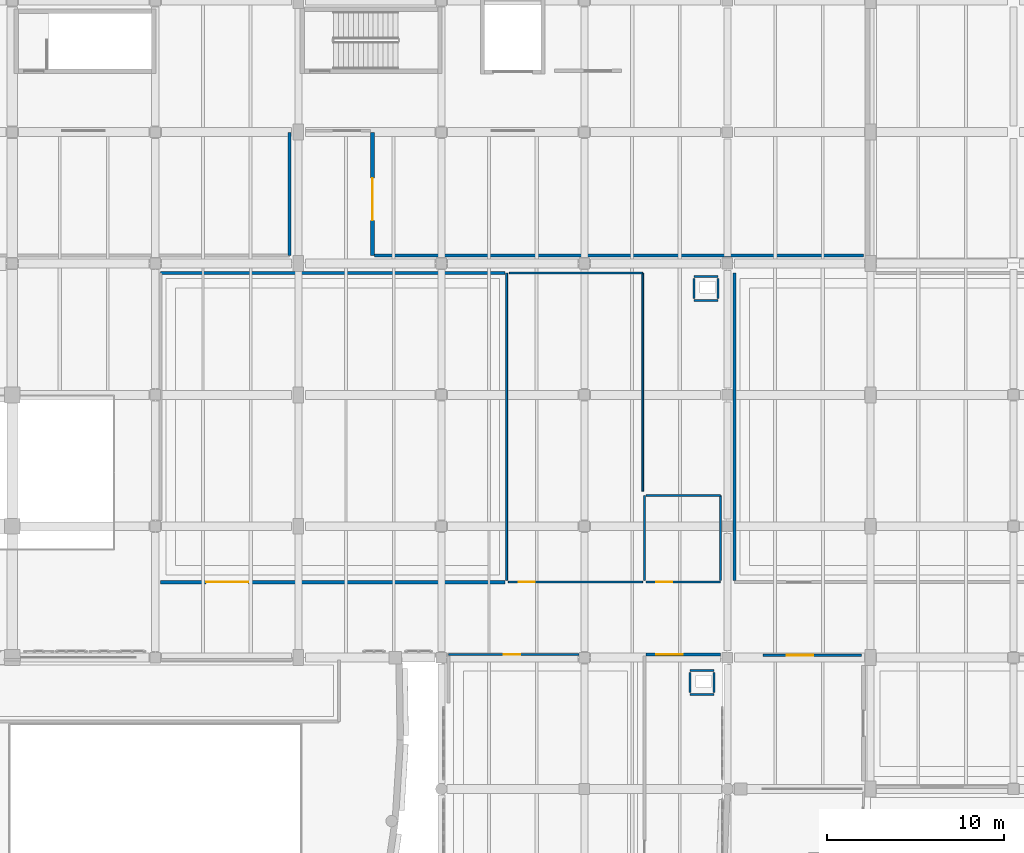
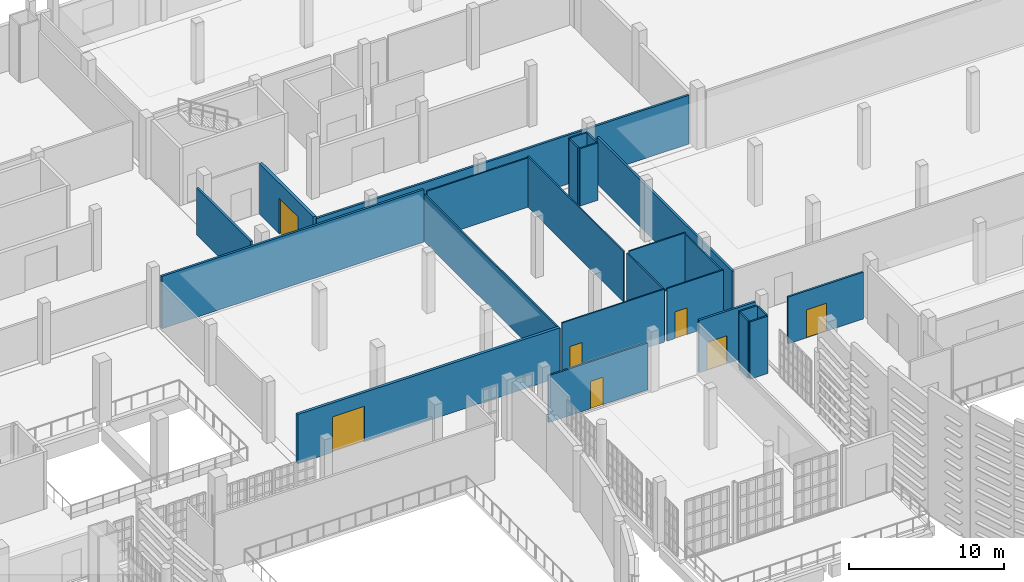
# One storey, part 91 of 104: 25 walls, 7 doors, 7 openings.
"""IFC4 building model written with IfcOpenShell, lengths in metres."""

from ifc_helpers import new_model, si_unit, direction, frame, frame_2d, origin, place, context, subcontext, project, spatial, rectangle, extrude, material, layer, layer_set, type_object, element, fill, save


model = new_model("IFC4")

# Units and contexts
model_context = context("Model", 3, precision=1e-05, world=origin(), true_north=direction((0.0, 1.0)))
body_context = subcontext(model_context, "Body", "Model", "MODEL_VIEW")
ifc_project = project(units=[si_unit("LENGTHUNIT", "METRE"), si_unit("AREAUNIT", "SQUARE_METRE"), si_unit("VOLUMEUNIT", "CUBIC_METRE"), si_unit("PLANEANGLEUNIT", "RADIAN"), si_unit("MASSUNIT", "GRAM", prefix="KILO")], contexts=[model_context])

# Site, building, storey
site_placement = place(None, origin())
site = spatial("IfcSite", under=ifc_project, at=site_placement, CompositionType="ELEMENT")
building_placement = place(site_placement, origin())
building = spatial("IfcBuilding", under=site, at=building_placement, Name="Kaelora Sail Theatre", CompositionType="ELEMENT")
storey_placement = place(building_placement, frame((0.0, 0.0, 5.39990234375)))
storey = spatial("IfcBuildingStorey", under=building, at=storey_placement, Name="L01", CompositionType="ELEMENT", Elevation=5.39990234375)

# Wall, opening, door
ifc_material_1 = material(Name="Sanitary moisture-resistant partition 100 mm", Category="gypsum")
ifc_layer_1 = layer(ifc_material_1, 0.10009765625)
ifc_layer_set_1 = layer_set([ifc_layer_1], Name="Sanitary moisture-resistant partition 100 mm")
wall_type_1 = type_object("IfcWallType", Name="ARC-WL-PT-100", PredefinedType="PARTITIONING", material=ifc_layer_set_1)
wall_1_placement = place(storey_placement, frame((110.60009765625, 65.300048828125, 0.0), z_axis=(0.0, 0.0, 1.0), x_axis=(1.0, 0.0, 0.0)))
wall_1 = element("IfcWall", 1, at=wall_1_placement, inside=storey, type_object=wall_type_1, Name="Interior acoustic partition L01-COR-FOYC/L01-WC-PUB", PredefinedType="PARTITIONING", context=body_context, shape_type="SweptSolid", body=[
    extrude(rectangle(XDim=7.599853515625, YDim=0.10009765625, at=frame_2d((3.7998046875, 0.0))), origin(), (0.0, 0.0, 1.0), 4.156982421875),
])
opening_1_placement = place(wall_1_placement, frame((0.580078125, 0.0, 0.0)))
opening_1 = element("IfcOpeningElement", 2, at=opening_1_placement, cuts=wall_1, Name="Opening ID-03", PredefinedType="OPENING", context=body_context, shape_type="SweptSolid", body=[
    extrude(rectangle(XDim=0.89990234375, YDim=2.10009765625, at=frame_2d((0.449951171875, 1.050048828125))), frame((0.0, 0.060049, 0.0), z_axis=(0.0, -1.0, 0.0), x_axis=(1.0, 0.0, 0.0)), (0.0, 0.0, 1.0), 0.120098),
])
ifc_material_2 = material(Name="Accessible sanitary laminate door", Category="timber")
door_type_1 = type_object("IfcDoorType", Name="ARC-DR-ID-03", OperationType="NOTDEFINED", PredefinedType="DOOR", material=ifc_material_2)
door_1_placement = place(opening_1_placement, origin())
door_1 = element("IfcDoor", 3, at=door_1_placement, inside=storey, type_object=door_type_1, Name="Interior door L01-COR-FOYC to L01-WC-PUB", OperationType="SINGLE_SWING_RIGHT", OverallHeight=2.10009765625, OverallWidth=0.89990234375, PredefinedType="DOOR", context=body_context, shape_type="SweptSolid", body=[
    extrude(rectangle(XDim=0.89990234375, YDim=2.10009765625, at=frame_2d((0.449951171875, 1.050048828125))), frame((0.0, 0.02490234375, 0.0), z_axis=(0.0, -1.0, 0.0), x_axis=(1.0, 0.0, 0.0)), (0.0, 0.0, 1.0), 0.050048828125),
])
fill(opening_1, door_1)

wall_2_placement = place(storey_placement, frame((118.39990234375, 65.300048828125, 0.0), z_axis=(0.0, 0.0, 1.0), x_axis=(1.0, 0.0, 0.0)))
wall_2 = element("IfcWall", 4, at=wall_2_placement, inside=storey, type_object=wall_type_1, Name="Interior acoustic partition L01-COR-FOYC/L01-WC-ACC", PredefinedType="PARTITIONING", context=body_context, shape_type="SweptSolid", body=[
    extrude(rectangle(XDim=4.2001953125, YDim=0.10009765625, at=frame_2d((2.10009765625, 0.0))), origin(), (0.0, 0.0, 1.0), 4.127197265625),
])
opening_2_placement = place(wall_2_placement, frame((0.580078125, 0.0, 0.0)))
opening_2 = element("IfcOpeningElement", 5, at=opening_2_placement, cuts=wall_2, Name="Opening ID-03", PredefinedType="OPENING", context=body_context, shape_type="SweptSolid", body=[
    extrude(rectangle(XDim=0.89990234375, YDim=2.10009765625, at=frame_2d((0.449951171875, 1.050048828125))), frame((0.0, 0.060049, 0.0), z_axis=(0.0, -1.0, 0.0), x_axis=(1.0, 0.0, 0.0)), (0.0, 0.0, 1.0), 0.120098),
])
door_2_placement = place(opening_2_placement, origin())
door_2 = element("IfcDoor", 6, at=door_2_placement, inside=storey, type_object=door_type_1, Name="Interior door L01-COR-FOYC to L01-WC-ACC", OperationType="SINGLE_SWING_RIGHT", OverallHeight=2.10009765625, OverallWidth=0.89990234375, PredefinedType="DOOR", context=body_context, shape_type="SweptSolid", body=[
    extrude(rectangle(XDim=0.89990234375, YDim=2.10009765625, at=frame_2d((0.449951171875, 1.050048828125))), frame((0.0, 0.02490234375, 0.0), z_axis=(0.0, -1.0, 0.0), x_axis=(1.0, 0.0, 0.0)), (0.0, 0.0, 1.0), 0.050048828125),
])
fill(opening_2, door_2)

# Walls
wall_3_placement = place(storey_placement, frame((118.300048828125, 65.39990234375, 0.0), z_axis=(0.0, 0.0, 1.0), x_axis=(0.0, 1.0, 0.0)))
element("IfcWall", 7, at=wall_3_placement, inside=storey, type_object=wall_type_1, Name="Interior acoustic partition L01-WC-PUB/L01-WC-ACC", PredefinedType="PARTITIONING", context=body_context, shape_type="SweptSolid", body=[
    extrude(rectangle(XDim=4.800048828125, YDim=0.10009765625, at=frame_2d((2.39990234375, 0.0))), origin(), (0.0, 0.0, 1.0), 3.987060546875),
])
wall_4_placement = place(storey_placement, frame((110.64990234375, 82.800048828125, 0.0), z_axis=(0.0, 0.0, 1.0), x_axis=(1.0, 0.0, 0.0)))
element("IfcWall", 8, at=wall_4_placement, inside=storey, type_object=wall_type_1, Name="Room enclosure wall L01-WC-PUB-N1", PredefinedType="PARTITIONING", context=body_context, shape_type="SweptSolid", body=[
    extrude(rectangle(XDim=7.550048828125, YDim=0.10009765625, at=frame_2d((3.77490234375, 0.0))), origin(), (0.0, 0.0, 1.0), 3.88720703125),
])
wall_5_placement = place(storey_placement, frame((118.199951171875, 70.449951171875, 0.0), z_axis=(0.0, 0.0, 1.0), x_axis=(0.0, 1.0, 0.0)))
element("IfcWall", 9, at=wall_5_placement, inside=storey, type_object=wall_type_1, Name="Room enclosure wall L01-WC-PUB-E1", PredefinedType="PARTITIONING", context=body_context, shape_type="SweptSolid", body=[
    extrude(rectangle(XDim=12.35009765625, YDim=0.10009765625, at=frame_2d((6.175048828125, 0.0))), origin(), (0.0, 0.0, 1.0), 3.987060546875),
])
wall_6_placement = place(storey_placement, frame((118.39990234375, 70.199951171875, 0.0), z_axis=(0.0, 0.0, 1.0), x_axis=(1.0, 0.0, 0.0)))
element("IfcWall", 10, at=wall_6_placement, inside=storey, type_object=wall_type_1, Name="Room enclosure wall L01-WC-ACC-N1", PredefinedType="PARTITIONING", context=body_context, shape_type="SweptSolid", body=[
    extrude(rectangle(XDim=4.2001953125, YDim=0.10009765625, at=frame_2d((2.10009765625, 0.0))), origin(), (0.0, 0.0, 1.0), 4.087158203125),
])
wall_7_placement = place(storey_placement, frame((122.60009765625, 65.39990234375, 0.0), z_axis=(0.0, 0.0, 1.0), x_axis=(0.0, 1.0, 0.0)))
element("IfcWall", 11, at=wall_7_placement, inside=storey, type_object=wall_type_1, Name="Room enclosure wall L01-WC-ACC-E1", PredefinedType="PARTITIONING", context=body_context, shape_type="SweptSolid", body=[
    extrude(rectangle(XDim=4.800048828125, YDim=0.10009765625, at=frame_2d((2.39990234375, 0.0))), origin(), (0.0, 0.0, 1.0), 3.987060546875),
])
ifc_material_3 = material(Name="Office acoustic stud partition 110 mm", Category="gypsum")
ifc_layer_2 = layer(ifc_material_3, 0.110107421875)
ifc_layer_set_2 = layer_set([ifc_layer_2], Name="Office acoustic stud partition 110 mm")
wall_type_2 = type_object("IfcWallType", Name="ARC-WL-PT-110", PredefinedType="PARTITIONING", material=ifc_layer_set_2)
wall_8_placement = place(storey_placement, frame((110.5, 65.39990234375, 0.0), z_axis=(0.0, 0.0, 1.0), x_axis=(0.0, 1.0, 0.0)))
element("IfcWall", 12, at=wall_8_placement, inside=storey, type_object=wall_type_2, Name="Interior acoustic partition L01-FOY-BAR/L01-WC-PUB", PredefinedType="PARTITIONING", context=body_context, shape_type="SweptSolid", body=[
    extrude(rectangle(XDim=17.400146484375, YDim=0.110107421875, at=frame_2d((8.7001953125, 0.0))), origin(), (0.0, 0.0, 1.0), 3.68701171875),
])
ifc_material_4 = material(Name="Standard metal-stud partition 120 mm", Category="gypsum")
ifc_layer_3 = layer(ifc_material_4, 0.1201171875)
ifc_layer_set_3 = layer_set([ifc_layer_3], Name="Standard metal-stud partition 120 mm")
wall_type_3 = type_object("IfcWallType", Name="ARC-WL-PT-120", PredefinedType="PARTITIONING", material=ifc_layer_set_3)
for number, where, z_axis, x_axis, name in (
    (13, (121.10498046875, 81.2451171875, 0.0), (0.0, 0.0, 1.0), (1.0, 0.0, 0.0), "MEP riser shaft wall FC2-L01-S"),
    (14, (121.10498046875, 82.60498046875, 0.0), (0.0, 0.0, 1.0), (1.0, 0.0, 0.0), "MEP riser shaft wall FC2-L01-N"),
):
    element("IfcWall", number, at=place(storey_placement, frame(where, z_axis=z_axis, x_axis=x_axis)), inside=storey, type_object=wall_type_3, Name=name, PredefinedType="PARTITIONING", context=body_context, shape_type="SweptSolid", body=[
        extrude(rectangle(XDim=1.360107421875, YDim=0.1201171875, at=frame_2d((0.68017578125, 0.0))), origin(), (0.0, 0.0, 1.0), 4.505126953125),
    ])
for number, where, z_axis, x_axis, name in (
    (15, (121.10498046875, 81.364990234375, 0.0), (0.0, 0.0, 1.0), (0.0, 1.0, 0.0), "MEP riser shaft wall FC2-L01-W"),
    (16, (122.465087890625, 81.364990234375, 0.0), (0.0, 0.0, 1.0), (0.0, 1.0, 0.0), "MEP riser shaft wall FC2-L01-E"),
):
    element("IfcWall", number, at=place(storey_placement, frame(where, z_axis=z_axis, x_axis=x_axis)), inside=storey, type_object=wall_type_3, Name=name, PredefinedType="PARTITIONING", context=body_context, shape_type="SweptSolid", body=[
        extrude(rectangle(XDim=1.1201171875, YDim=0.1201171875, at=frame_2d((0.56005859375, 0.0))), origin(), (0.0, 0.0, 1.0), 4.505126953125),
    ])
for number, where, z_axis, x_axis, name in (
    (17, (120.8798828125, 58.925048828125, 0.0), (0.0, 0.0, 1.0), (1.0, 0.0, 0.0), "MEP riser shaft wall FI-EAST-L01-S"),
    (18, (120.8798828125, 60.284912109375, 0.0), (0.0, 0.0, 1.0), (1.0, 0.0, 0.0), "MEP riser shaft wall FI-EAST-L01-N"),
):
    element("IfcWall", number, at=place(storey_placement, frame(where, z_axis=z_axis, x_axis=x_axis)), inside=storey, type_object=wall_type_3, Name=name, PredefinedType="PARTITIONING", context=body_context, shape_type="SweptSolid", body=[
        extrude(rectangle(XDim=1.360107421875, YDim=0.1201171875, at=frame_2d((0.68017578125, 0.0))), origin(), (0.0, 0.0, 1.0), 4.505126953125),
    ])
for number, where, z_axis, x_axis, name in (
    (19, (120.8798828125, 59.044921875, 0.0), (0.0, 0.0, 1.0), (0.0, 1.0, 0.0), "MEP riser shaft wall FI-EAST-L01-W"),
    (20, (122.239990234375, 59.044921875, 0.0), (0.0, 0.0, 1.0), (0.0, 1.0, 0.0), "MEP riser shaft wall FI-EAST-L01-E"),
):
    element("IfcWall", number, at=place(storey_placement, frame(where, z_axis=z_axis, x_axis=x_axis)), inside=storey, type_object=wall_type_3, Name=name, PredefinedType="PARTITIONING", context=body_context, shape_type="SweptSolid", body=[
        extrude(rectangle(XDim=1.1201171875, YDim=0.1201171875, at=frame_2d((0.56005859375, 0.0))), origin(), (0.0, 0.0, 1.0), 4.505126953125),
    ])

# Wall, opening, door
wall_9_placement = place(storey_placement, frame((107.199951171875, 61.199951171875, 0.0), z_axis=(0.0, 0.0, 1.0), x_axis=(1.0, 0.0, 0.0)))
wall_9 = element("IfcWall", 21, at=wall_9_placement, inside=storey, type_object=wall_type_3, Name="Interior acoustic partition L01-FOY-INTER2/L01-COR-FOYC", PredefinedType="PARTITIONING", context=body_context, shape_type="SweptSolid", body=[
    extrude(rectangle(XDim=7.39501953125, YDim=0.1201171875, at=frame_2d((3.697509765625, 0.0))), origin(), (0.0, 0.0, 1.0), 3.68701171875),
])
opening_3_placement = place(wall_9_placement, frame((3.125, 0.0, 0.0)))
opening_3 = element("IfcOpeningElement", 22, at=opening_3_placement, cuts=wall_9, Name="Opening ID-02", PredefinedType="OPENING", context=body_context, shape_type="SweptSolid", body=[
    extrude(rectangle(XDim=0.949951171875, YDim=2.14990234375, at=frame_2d((0.47509765625, 1.074951171875))), frame((0.0, 0.070059, 0.0), z_axis=(0.0, -1.0, 0.0), x_axis=(1.0, 0.0, 0.0)), (0.0, 0.0, 1.0), 0.140117),
])
ifc_material_5 = material(Name="Timber dressing and office single door", Category="wood")
door_type_2 = type_object("IfcDoorType", Name="ARC-DR-ID-02", OperationType="NOTDEFINED", PredefinedType="DOOR", material=ifc_material_5)
door_3_placement = place(opening_3_placement, origin())
door_3 = element("IfcDoor", 23, at=door_3_placement, inside=storey, type_object=door_type_2, Name="Interior door L01-FOY-INTER2 to L01-COR-FOYC", OperationType="SINGLE_SWING_LEFT", OverallHeight=2.14990234375, OverallWidth=0.949951171875, PredefinedType="DOOR", context=body_context, shape_type="SweptSolid", body=[
    extrude(rectangle(XDim=0.949951171875, YDim=2.14990234375, at=frame_2d((0.47509765625, 1.074951171875))), frame((0.0, 0.02490234375, 0.0), z_axis=(0.0, -1.0, 0.0), x_axis=(1.0, 0.0, 0.0)), (0.0, 0.0, 1.0), 0.050048828125),
])
fill(opening_3, door_3)

ifc_material_6 = material(Name="Fire-rated stud partition 140 mm", Category="gypsum")
ifc_layer_4 = layer(ifc_material_6, 0.139892578125)
ifc_layer_set_4 = layer_set([ifc_layer_4], Name="Fire-rated stud partition 140 mm")
wall_type_4 = type_object("IfcWallType", Name="ARC-WL-PT-140", PredefinedType="PARTITIONING", material=ifc_layer_set_4)
wall_10_placement = place(storey_placement, frame((125.0, 61.14990234375, 0.0), z_axis=(0.0, 0.0, 1.0), x_axis=(1.0, 0.0, 0.0)))
wall_10 = element("IfcWall", 24, at=wall_10_placement, inside=storey, type_object=wall_type_4, Name="Interior acoustic partition L01-GAL-BB-NLOB/L01-COR-FOYC", PredefinedType="PARTITIONING", context=body_context, shape_type="SweptSolid", body=[
    extrude(rectangle(XDim=5.60009765625, YDim=0.139892578125, at=frame_2d((2.800048828125, 0.0))), origin(), (0.0, 0.0, 1.0), 3.68701171875),
])
opening_4_placement = place(wall_10_placement, frame((1.364013671875, 0.0, 0.0)))
opening_4 = element("IfcOpeningElement", 25, at=opening_4_placement, cuts=wall_10, Name="Opening FD-01", PredefinedType="OPENING", context=body_context, shape_type="SweptSolid", body=[
    extrude(rectangle(XDim=1.5, YDim=2.199951171875, at=frame_2d((0.75, 1.10009765625))), frame((0.0, 0.079824, 0.0), z_axis=(0.0, -1.0, 0.0), x_axis=(1.0, 0.0, 0.0)), (0.0, 0.0, 1.0), 0.159893),
])
ifc_material_7 = material(Name="Acoustic steel double fire door EI 90-C", Category="steel")
door_type_3 = type_object("IfcDoorType", Name="ARC-DR-FD-01", OperationType="NOTDEFINED", PredefinedType="DOOR", material=ifc_material_7)
door_4_placement = place(opening_4_placement, origin())
door_4 = element("IfcDoor", 26, at=door_4_placement, inside=storey, type_object=door_type_3, Name="Interior door L01-GAL-BB-NLOB to L01-COR-FOYC", OperationType="DOUBLE_DOOR_SINGLE_SWING", OverallHeight=2.199951171875, OverallWidth=1.5, PredefinedType="DOOR", context=body_context, shape_type="SweptSolid", body=[
    extrude(rectangle(XDim=1.5, YDim=2.199951171875, at=frame_2d((0.75, 1.10009765625))), frame((0.0, 0.02490234375, 0.0), z_axis=(0.0, -1.0, 0.0), x_axis=(1.0, 0.0, 0.0)), (0.0, 0.0, 1.0), 0.050048828125),
])
fill(opening_4, door_4)

ifc_material_8 = material(Name="Acoustic metal-stud plasterboard 160 mm", Category="gypsum")
ifc_layer_5 = layer(ifc_material_8, 0.159912109375)
ifc_layer_set_5 = layer_set([ifc_layer_5], Name="Acoustic metal-stud plasterboard 160 mm")
wall_type_5 = type_object("IfcWallType", Name="ARC-WL-PT-160", PredefinedType="PARTITIONING", material=ifc_layer_set_5)
wall_11_placement = place(storey_placement, frame((118.39990234375, 61.199951171875, 0.0), z_axis=(0.0, 0.0, 1.0), x_axis=(1.0, 0.0, 0.0)))
wall_11 = element("IfcWall", 27, at=wall_11_placement, inside=storey, type_object=wall_type_5, Name="Interior acoustic partition L01-COR-INTER2/L01-COR-FOYC", PredefinedType="PARTITIONING", context=body_context, shape_type="SweptSolid", body=[
    extrude(rectangle(XDim=4.2001953125, YDim=0.159912109375, at=frame_2d((2.10009765625, 0.0))), origin(), (0.0, 0.0, 1.0), 4.127197265625),
])
opening_5_placement = place(wall_11_placement, frame((0.580078125, 0.0, 0.0)))
opening_5 = element("IfcOpeningElement", 28, at=opening_5_placement, cuts=wall_11, Name="Opening FD-01", PredefinedType="OPENING", context=body_context, shape_type="SweptSolid", body=[
    extrude(rectangle(XDim=1.5, YDim=2.199951171875, at=frame_2d((0.75, 1.10009765625))), frame((0.0, 0.090078, 0.0), z_axis=(0.0, -1.0, 0.0), x_axis=(1.0, 0.0, 0.0)), (0.0, 0.0, 1.0), 0.179912),
])
door_5_placement = place(opening_5_placement, origin())
door_5 = element("IfcDoor", 29, at=door_5_placement, inside=storey, type_object=door_type_3, Name="Interior door L01-COR-INTER2 to L01-COR-FOYC", OperationType="DOUBLE_DOOR_SINGLE_SWING", OverallHeight=2.199951171875, OverallWidth=1.5, PredefinedType="DOOR", context=body_context, shape_type="SweptSolid", body=[
    extrude(rectangle(XDim=1.5, YDim=2.199951171875, at=frame_2d((0.75, 1.10009765625))), frame((0.0, 0.02490234375, 0.0), z_axis=(0.0, -1.0, 0.0), x_axis=(1.0, 0.0, 0.0)), (0.0, 0.0, 1.0), 0.050048828125),
])
fill(opening_5, door_5)

# Walls
wall_12_placement = place(storey_placement, frame((90.89990234375, 82.800048828125, 0.0), z_axis=(0.0, 0.0, 1.0), x_axis=(1.0, 0.0, 0.0)))
element("IfcWall", 30, at=wall_12_placement, inside=storey, type_object=wall_type_5, Name="Room enclosure wall L01-FOY-BAR-N1", PredefinedType="PARTITIONING", context=body_context, shape_type="SweptSolid", body=[
    extrude(rectangle(XDim=19.5, YDim=0.159912109375, at=frame_2d((9.75, 0.0))), origin(), (0.0, 0.0, 1.0), 4.127197265625),
])
wall_13_placement = place(storey_placement, frame((123.39990234375, 65.39990234375, 0.0), z_axis=(0.0, 0.0, 1.0), x_axis=(0.0, 1.0, 0.0)))
element("IfcWall", 31, at=wall_13_placement, inside=storey, type_object=wall_type_5, Name="Room enclosure wall L01-EXHIB-W1", PredefinedType="PARTITIONING", context=body_context, shape_type="SweptSolid", body=[
    extrude(rectangle(XDim=17.400146484375, YDim=0.159912109375, at=frame_2d((8.7001953125, 0.0))), origin(), (0.0, 0.0, 1.0), 3.68701171875),
])
wall_14_placement = place(storey_placement, frame((98.199951171875, 83.800048828125, 0.0), z_axis=(0.0, 0.0, 1.0), x_axis=(0.0, 1.0, 0.0)))
element("IfcWall", 32, at=wall_14_placement, inside=storey, type_object=wall_type_5, Name="Room enclosure wall L01-DYE-SHOP-E1", PredefinedType="PARTITIONING", context=body_context, shape_type="SweptSolid", body=[
    extrude(rectangle(XDim=6.949951171875, YDim=0.159912109375, at=frame_2d((3.47509765625, 0.0))), origin(), (0.0, 0.0, 1.0), 3.68701171875),
])
wall_15_placement = place(storey_placement, frame((103.0, 83.800048828125, 0.0), z_axis=(0.0, 0.0, 1.0), x_axis=(1.0, 0.0, 0.0)))
element("IfcWall", 33, at=wall_15_placement, inside=storey, type_object=wall_type_5, Name="Room enclosure wall L01-PAINT-SHOP-S1", PredefinedType="PARTITIONING", context=body_context, shape_type="SweptSolid", body=[
    extrude(rectangle(XDim=27.699951171875, YDim=0.159912109375, at=frame_2d((13.85009765625, 0.0))), origin(), (0.0, 0.0, 1.0), 3.837158203125),
])

# Wall, opening, door
ifc_material_9 = material(Name="Acoustic double-stud plasterboard 200 mm", Category="gypsum")
ifc_layer_6 = layer(ifc_material_9, 0.199951171875)
ifc_layer_set_6 = layer_set([ifc_layer_6], Name="Acoustic double-stud plasterboard 200 mm")
wall_type_6 = type_object("IfcWallType", Name="ARC-WL-PT-200", PredefinedType="PARTITIONING", material=ifc_layer_set_6)
wall_16_placement = place(storey_placement, frame((90.89990234375, 65.300048828125, 0.0), z_axis=(0.0, 0.0, 1.0), x_axis=(1.0, 0.0, 0.0)))
wall_16 = element("IfcWall", 34, at=wall_16_placement, inside=storey, type_object=wall_type_6, Name="Interior acoustic partition L01-COR-FOYC/L01-FOY-BAR", PredefinedType="PARTITIONING", context=body_context, shape_type="SweptSolid", body=[
    extrude(rectangle(XDim=19.5, YDim=0.199951171875, at=frame_2d((9.75, 0.0))), origin(), (0.0, 0.0, 1.0), 3.88720703125),
])
opening_6_placement = place(wall_16_placement, frame((2.572998046875, 0.0, 0.0)))
opening_6 = element("IfcOpeningElement", 35, at=opening_6_placement, cuts=wall_16, Name="Opening ID-05", PredefinedType="OPENING", context=body_context, shape_type="SweptSolid", body=[
    extrude(rectangle(XDim=2.39990234375, YDim=2.800048828125, at=frame_2d((1.199951171875, 1.39990234375))), frame((0.0, 0.110098, 0.0), z_axis=(0.0, -1.0, 0.0), x_axis=(1.0, 0.0, 0.0)), (0.0, 0.0, 1.0), 0.219951),
])
ifc_material_10 = material(Name="Scenery workshop oversize acoustic double door", Category="steel")
door_type_4 = type_object("IfcDoorType", Name="ARC-DR-ID-05", OperationType="NOTDEFINED", PredefinedType="DOOR", material=ifc_material_10)
door_6_placement = place(opening_6_placement, origin())
door_6 = element("IfcDoor", 36, at=door_6_placement, inside=storey, type_object=door_type_4, Name="Interior door L01-COR-FOYC to L01-FOY-BAR", OperationType="DOUBLE_DOOR_SINGLE_SWING", OverallHeight=2.800048828125, OverallWidth=2.39990234375, PredefinedType="DOOR", context=body_context, shape_type="SweptSolid", body=[
    extrude(rectangle(XDim=2.39990234375, YDim=2.800048828125, at=frame_2d((1.199951171875, 1.39990234375))), frame((0.0, 0.02490234375, 0.0), z_axis=(0.0, -1.0, 0.0), x_axis=(1.0, 0.0, 0.0)), (0.0, 0.0, 1.0), 0.050048828125),
])
fill(opening_6, door_6)

ifc_material_11 = material(Name="Concrete C40/50", Category="concrete")
ifc_layer_7 = layer(ifc_material_11, 0.22998046875)
ifc_layer_set_7 = layer_set([ifc_layer_7], Name="Concrete C40/50")
wall_type_7 = type_object("IfcWallType", Name="ARC-WL-PW-230", PredefinedType="SOLIDWALL", material=ifc_layer_set_7)
wall_17_placement = place(storey_placement, frame((102.89990234375, 83.800048828125, 0.0), z_axis=(0.0, 0.0, 1.0), x_axis=(0.0, 1.0, 0.0)))
wall_17 = element("IfcWall", 37, at=wall_17_placement, inside=storey, type_object=wall_type_7, Name="Interior acoustic partition L01-COR-NLINKC/L01-PAINT-SHOP", PredefinedType="SOLIDWALL", context=body_context, shape_type="SweptSolid", body=[
    extrude(rectangle(XDim=6.949951171875, YDim=0.22998046875, at=frame_2d((3.47509765625, 0.0))), origin(), (0.0, 0.0, 1.0), 3.987060546875),
])
opening_7_placement = place(wall_17_placement, frame((1.97607421875, 0.0, 0.0)))
opening_7 = element("IfcOpeningElement", 38, at=opening_7_placement, cuts=wall_17, Name="Opening ID-05", PredefinedType="OPENING", context=body_context, shape_type="SweptSolid", body=[
    extrude(rectangle(XDim=2.39990234375, YDim=2.800048828125, at=frame_2d((1.199951171875, 1.39990234375))), frame((0.0, 0.12499, 0.0), z_axis=(0.0, -1.0, 0.0), x_axis=(1.0, 0.0, 0.0)), (0.0, 0.0, 1.0), 0.24998),
])
door_7_placement = place(opening_7_placement, origin())
door_7 = element("IfcDoor", 39, at=door_7_placement, inside=storey, type_object=door_type_4, Name="Interior door L01-COR-NLINKC to L01-PAINT-SHOP", OperationType="DOUBLE_DOOR_SINGLE_SWING", OverallHeight=2.800048828125, OverallWidth=2.39990234375, PredefinedType="DOOR", context=body_context, shape_type="SweptSolid", body=[
    extrude(rectangle(XDim=2.39990234375, YDim=2.800048828125, at=frame_2d((1.199951171875, 1.39990234375))), frame((0.0, 0.02490234375, 0.0), z_axis=(0.0, -1.0, 0.0), x_axis=(1.0, 0.0, 0.0)), (0.0, 0.0, 1.0), 0.050048828125),
])
fill(opening_7, door_7)

save(model, "model.ifc")
